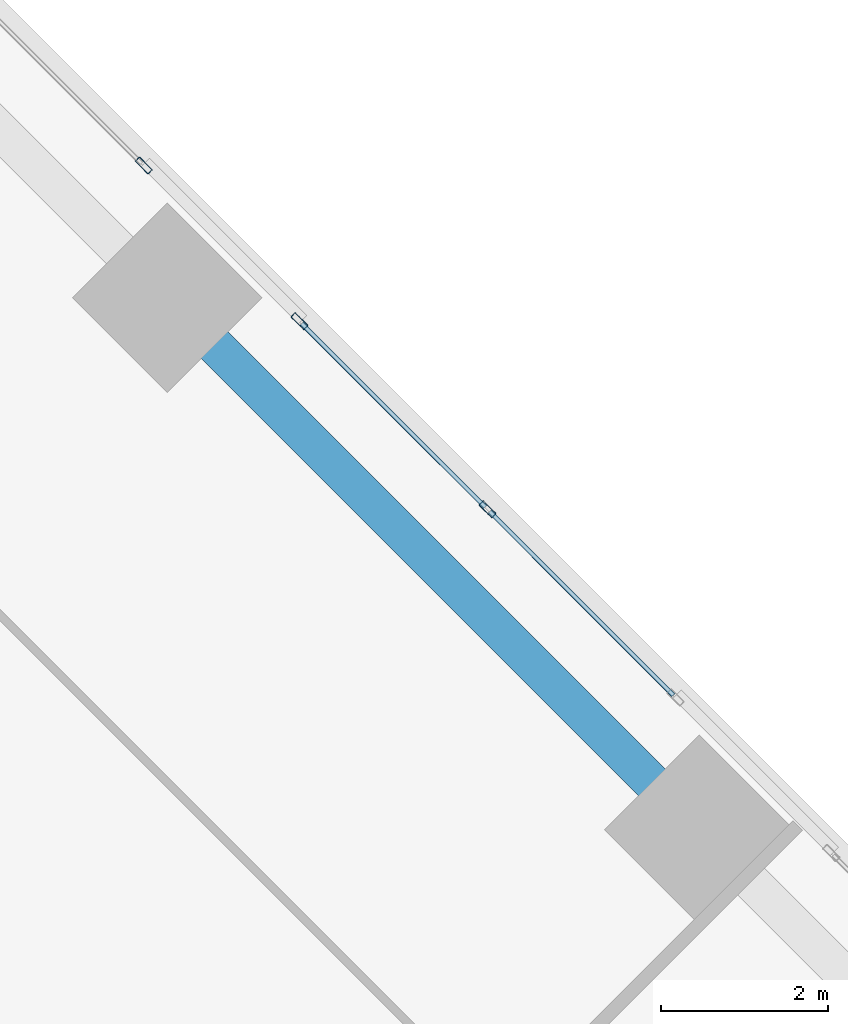
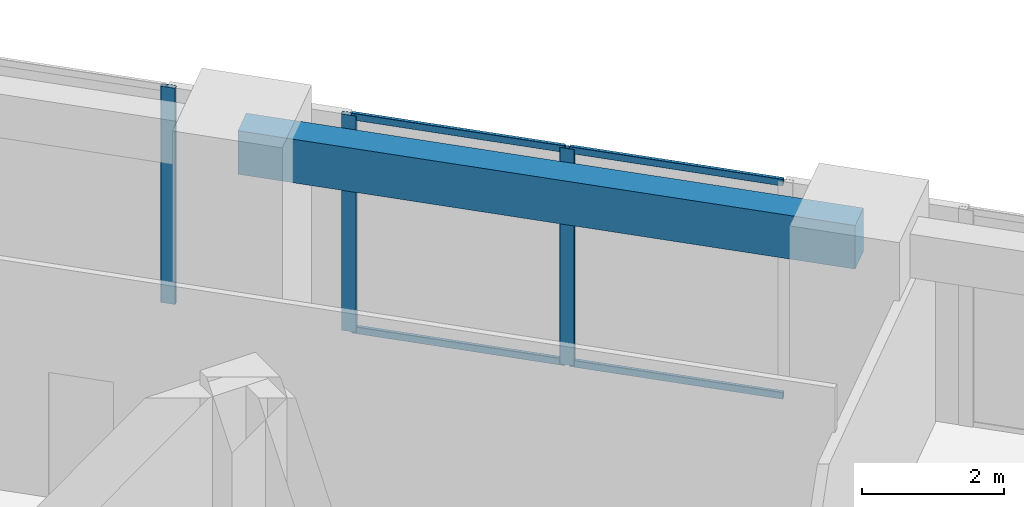
# One storey, part 11 of 17: 7 members, 1 beam, 2 elements without a shape of their own.
"""IFC4 building model written with IfcOpenShell, lengths in metres."""

from ifc_helpers import new_model, si_unit, direction, frame, origin, origin_2d, place, context, subcontext, project, spatial, rectangle, hollow_rectangle, extrude, source, transform, mapped, material, material_profile, profile_set, type_object, element, aggregate, save


model = new_model("IFC4")

# Units and contexts
model_context = context("Model", 3, precision=1e-05, world=origin(), true_north=direction((0.0, 1.0)))
body_context = subcontext(model_context, "Body", "Model", "MODEL_VIEW")
ifc_project = project(units=[si_unit("LENGTHUNIT", "METRE"), si_unit("AREAUNIT", "SQUARE_METRE"), si_unit("VOLUMEUNIT", "CUBIC_METRE"), si_unit("PLANEANGLEUNIT", "RADIAN"), si_unit("MASSUNIT", "GRAM", prefix="KILO")], contexts=[model_context])

# Site, building, storey
site_placement = place(None, origin())
site = spatial("IfcSite", under=ifc_project, at=site_placement, CompositionType="ELEMENT")
building_placement = place(site_placement, origin())
building = spatial("IfcBuilding", under=site, at=building_placement, Name="Torre Montelarca", CompositionType="ELEMENT")
storey_placement = place(building_placement, frame((0.0, 0.0, 250.0)))
storey = spatial("IfcBuildingStorey", under=building, at=storey_placement, Name="L56", CompositionType="ELEMENT", Elevation=250.0)

# Beam
ifc_material_1 = material(Name="Concrete C55/67", Category="concrete")
ifc_material_profile_1 = material_profile(ifc_material_1, rectangle(XDim=0.449951171875, YDim=0.75, at=origin_2d()), Name="RCB450X750", Category="concrete")
ifc_profile_set_1 = profile_set([ifc_material_profile_1], Name="Concrete C55/67")
beam_type = type_object("IfcBeamType", Name="BM-SP-RC750-EXT", PredefinedType="SPANDREL", material=ifc_profile_set_1)
shared_shape_1 = source(origin(), body_context, "Body", "SweptSolid", [
    extrude(rectangle(XDim=0.449951171875, YDim=0.75, at=origin_2d()), origin(), (0.0, 0.0, 1.0), 9.0),
])
beam_placement = place(storey_placement, frame((29.73779296875, 45.1875, 3.5849609375), z_axis=(0.707106781187, -0.707106781187, 0.0), x_axis=(0.707106781187, 0.707106781187, 0.0)))
element("IfcBeam", 1, at=beam_placement, inside=storey, type_object=beam_type, Name="L56 Grid Girder X 18.0-27.0 at Y=47.1", PredefinedType="SPANDREL", context=body_context, shape_type="MappedRepresentation", body=[
    mapped(shared_shape_1, transform((0.0, 0.0, 0.0), scale=1.0)),
])

# Curtain wall, members
ifc_material_2 = material(Name="Insulated low-E laminated glass", Category="glass")
curtain_wall_type = type_object("IfcCurtainWallType", Name="CW-SYS-Z3", PredefinedType="USERDEFINED", material=ifc_material_2)
curtain_wall_1_placement = place(storey_placement, origin())
curtain_wall_1 = element("IfcCurtainWall", 2, at=curtain_wall_1_placement, inside=storey, type_object=curtain_wall_type, Name="L56 Curtain Wall Run CW-T3-L56-E08-B2", ObjectType="UNITISED GLAZING", PredefinedType="USERDEFINED")
ifc_material_3 = material(Name="Anodised aluminium AA 6063-T6", Category="aluminium")
ifc_material_profile_2 = material_profile(ifc_material_3, hollow_rectangle(XDim=0.074951171875, YDim=0.219970703125, WallThickness=0.0048828125, InnerFilletRadius=0.0048828125, OuterFilletRadius=0.010009765625, at=origin_2d()), Name="ALU75X220X5", Category="aluminium")
ifc_profile_set_2 = profile_set([ifc_material_profile_2], Name="Anodised aluminium AA 6063-T6")
member_type_1 = type_object("IfcMemberType", Name="CWM-ALU220", PredefinedType="MULLION", material=ifc_profile_set_2)
shared_shape_2 = source(origin(), body_context, "Body", "SweptSolid", [
    extrude(hollow_rectangle(XDim=0.074951171875, YDim=0.219970703125, WallThickness=0.0048828125, InnerFilletRadius=0.0048828125, OuterFilletRadius=0.010009765625, at=origin_2d()), origin(), (0.0, 0.0, 1.0), 3.719970703125),
])
member_1_placement = place(storey_placement, frame((33.5703125, 42.656005859375, 0.0), z_axis=(0.0, 0.0, 1.0), x_axis=(-0.707114545144, -0.707099017144, 0.0)))
member_1 = element("IfcMember", 3, at=member_1_placement, type_object=member_type_1, Name="CW mullion 2", PredefinedType="MULLION", context=body_context, shape_type="MappedRepresentation", body=[
    mapped(shared_shape_2, transform((0.0, 0.0, 0.0), scale=1.0)),
])
member_2_placement = place(storey_placement, frame((31.320068359375, 44.906494140625, 0.0), z_axis=(0.0, 0.0, 1.0), x_axis=(-0.707114545144, -0.707099017144, 0.0)))
member_2 = element("IfcMember", 4, at=member_2_placement, type_object=member_type_1, Name="CW mullion 3", PredefinedType="MULLION", context=body_context, shape_type="MappedRepresentation", body=[
    mapped(shared_shape_2, transform((0.0, 0.0, 0.0), scale=1.0)),
])

# Curtain wall, member
curtain_wall_2_placement = place(storey_placement, origin())
curtain_wall_2 = element("IfcCurtainWall", 5, at=curtain_wall_2_placement, inside=storey, type_object=curtain_wall_type, Name="L56 Curtain Wall Run CW-T3-L56-E08-B3", ObjectType="UNITISED GLAZING", PredefinedType="USERDEFINED")
member_3_placement = place(storey_placement, frame((29.456787109375, 46.769775390625, 0.0), z_axis=(0.0, 0.0, 1.0), x_axis=(-0.707106781187, -0.707106781187, 0.0)))
member_3 = element("IfcMember", 6, at=member_3_placement, type_object=member_type_1, Name="CW mullion 1", PredefinedType="MULLION", context=body_context, shape_type="MappedRepresentation", body=[
    mapped(shared_shape_2, transform((0.0, 0.0, 0.0), scale=1.0)),
])
aggregate(curtain_wall_2, [member_3])

# Member
ifc_material_profile_3 = material_profile(ifc_material_3, hollow_rectangle(XDim=0.054931640625, YDim=0.1201171875, WallThickness=0.00341796875, InnerFilletRadius=0.00341796875, OuterFilletRadius=0.007080078125, at=origin_2d()), Name="ALU55X120X3.5", Category="aluminium")
ifc_profile_set_3 = profile_set([ifc_material_profile_3], Name="Anodised aluminium AA 6063-T6")
member_type_2 = type_object("IfcMemberType", Name="CWT-ALU120", PredefinedType="USERDEFINED", material=ifc_profile_set_3)
shared_shape_3 = source(origin(), body_context, "Body", "SweptSolid", [
    extrude(hollow_rectangle(XDim=0.054931640625, YDim=0.1201171875, WallThickness=0.00341796875, InnerFilletRadius=0.00341796875, OuterFilletRadius=0.007080078125, at=origin_2d()), origin(), (0.0, 0.0, 1.0), 3.107666015625),
])
member_4_placement = place(storey_placement, frame((35.794189453125, 40.43212890625, 0.027587890625), z_axis=(-0.707067498568, 0.707146061623, 0.0), x_axis=(-0.707146061623, -0.707067498568, 0.0)))
member_4 = element("IfcMember", 7, at=member_4_placement, type_object=member_type_2, Name="CW transom 1.1", ObjectType="TRANSOM", PredefinedType="USERDEFINED", context=body_context, shape_type="MappedRepresentation", body=[
    mapped(shared_shape_3, transform((0.0, 0.0, 0.0), scale=1.0)),
])

member_5_placement = place(storey_placement, frame((35.794189453125, 40.43212890625, 3.6923828125), z_axis=(-0.707067498568, 0.707146061623, 0.0), x_axis=(-0.707146061623, -0.707067498568, 0.0)))
member_5 = element("IfcMember", 8, at=member_5_placement, type_object=member_type_2, Name="CW transom 1.2", ObjectType="TRANSOM", PredefinedType="USERDEFINED", context=body_context, shape_type="MappedRepresentation", body=[
    mapped(shared_shape_3, transform((0.0, 0.0, 0.0), scale=1.0)),
])

member_6_placement = place(storey_placement, frame((33.5439453125, 42.6826171875, 0.027587890625), z_axis=(-0.707146061623, 0.707067498568, 0.0), x_axis=(-0.707067498568, -0.707146061623, 0.0)))
member_6 = element("IfcMember", 9, at=member_6_placement, type_object=member_type_2, Name="CW transom 2.1", ObjectType="TRANSOM", PredefinedType="USERDEFINED", context=body_context, shape_type="MappedRepresentation", body=[
    mapped(shared_shape_3, transform((0.0, 0.0, 0.0), scale=1.0)),
])

member_7_placement = place(storey_placement, frame((33.5439453125, 42.6826171875, 3.6923828125), z_axis=(-0.707146061623, 0.707067498568, 0.0), x_axis=(-0.707067498568, -0.707146061623, 0.0)))
member_7 = element("IfcMember", 10, at=member_7_placement, type_object=member_type_2, Name="CW transom 2.2", ObjectType="TRANSOM", PredefinedType="USERDEFINED", context=body_context, shape_type="MappedRepresentation", body=[
    mapped(shared_shape_3, transform((0.0, 0.0, 0.0), scale=1.0)),
])

aggregate(curtain_wall_1, [member_1, member_2, member_4, member_5, member_6, member_7])

save(model, "model.ifc")
